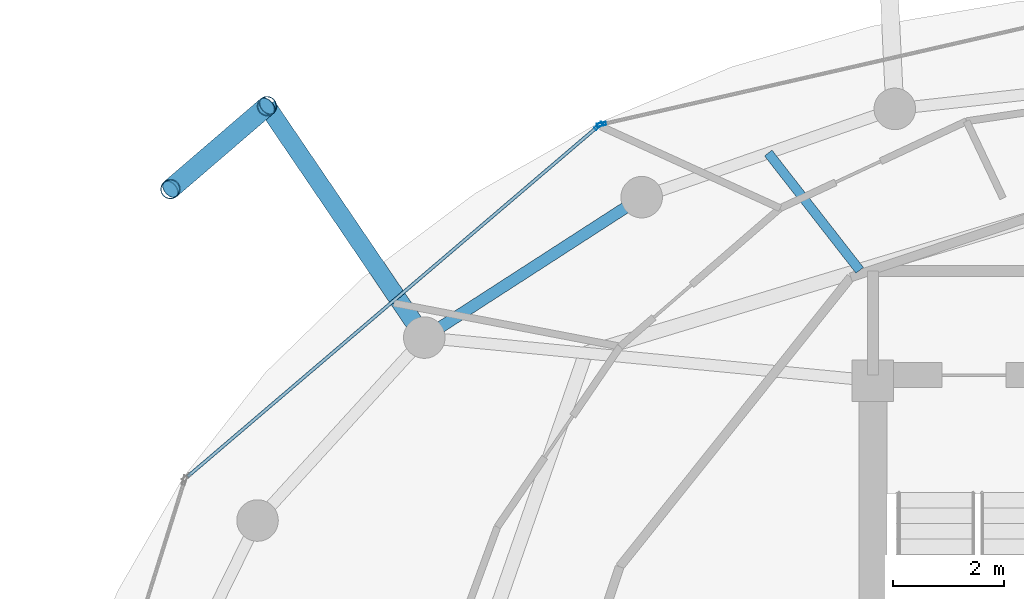
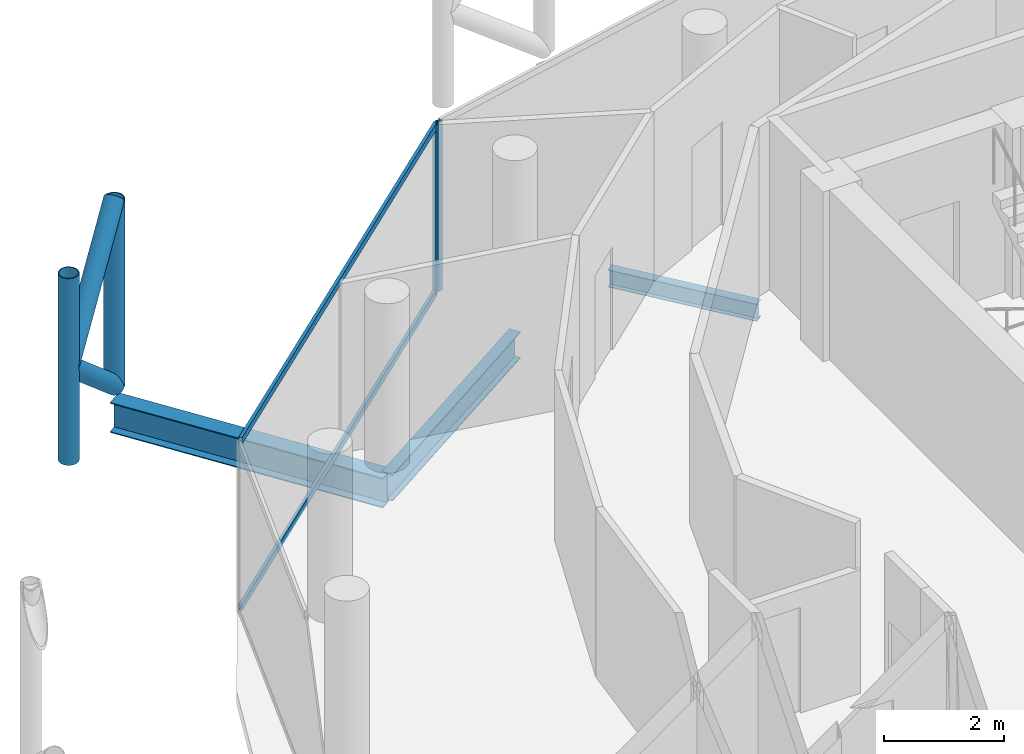
# One storey, part 15 of 24: 8 members, 3 beams, 2 elements without a shape of their own.
"""IFC4 building model written with IfcOpenShell, lengths in metres."""

from ifc_helpers import new_model, si_unit, direction, frame, origin, origin_2d, place, context, subcontext, project, spatial, hollow_rectangle, hollow_circle, i_section, extrude, material, layer, layer_set, material_profile, profile_set, type_object, element, aggregate, save


model = new_model("IFC4")

# Units and contexts
model_context = context("Model", 3, precision=1e-05, world=origin(), true_north=direction((0.0, 1.0)))
body_context = subcontext(model_context, "Body", "Model", "MODEL_VIEW")
ifc_project = project(units=[si_unit("LENGTHUNIT", "METRE"), si_unit("AREAUNIT", "SQUARE_METRE"), si_unit("VOLUMEUNIT", "CUBIC_METRE"), si_unit("PLANEANGLEUNIT", "RADIAN"), si_unit("MASSUNIT", "GRAM", prefix="KILO")], contexts=[model_context])

# Site, building, storey
site_placement = place(None, origin())
site = spatial("IfcSite", under=ifc_project, at=site_placement, CompositionType="ELEMENT")
building_placement = place(site_placement, origin())
building = spatial("IfcBuilding", under=site, at=building_placement, Name="Nuhasar Tower", CompositionType="ELEMENT")
storey_placement = place(building_placement, frame((0.0, 0.0, 297.39990234375)))
storey = spatial("IfcBuildingStorey", under=building, at=storey_placement, Name="L74", CompositionType="ELEMENT", Elevation=297.39990234375)

# Beams
ifc_material_1 = material(Name="Steel S355", Category="steel")
ifc_material_profile_1 = material_profile(ifc_material_1, i_section(OverallWidth=0.1708984375, OverallDepth=0.35205078125, WebThickness=0.0068359375, FlangeThickness=0.009765625, at=origin_2d()), Name="W14X30")
ifc_profile_set_1 = profile_set([ifc_material_profile_1], Name="Steel S355")
beam_type_1 = type_object("IfcBeamType", Name="BM-JST-W14X30", PredefinedType="JOIST", material=ifc_profile_set_1)
beam_1_placement = place(storey_placement, frame((33.4609375, 39.29296875, -0.435791015625), z_axis=(-0.614953767351, 0.788563164256, 0.0), x_axis=(-0.788563164256, -0.614953767351, 0.0)))
element("IfcBeam", 1, at=beam_1_placement, inside=storey, type_object=beam_type_1, Name="L74 Secondary Floor Joist 06", PredefinedType="JOIST", context=body_context, shape_type="SweptSolid", body=[
    extrude(i_section(OverallWidth=0.1708984375, OverallDepth=0.35205078125, WebThickness=0.0068359375, FlangeThickness=0.009765625, at=origin_2d()), origin(), (0.0, 0.0, 1.0), 2.6845703125),
])
ifc_material_profile_2 = material_profile(ifc_material_1, i_section(OverallWidth=0.2099609375, OverallDepth=0.537109375, WebThickness=0.010986328125, FlangeThickness=0.017333984375, at=origin_2d()), Name="W21X68")
ifc_profile_set_2 = profile_set([ifc_material_profile_2], Name="Steel S355")
beam_type_2 = type_object("IfcBeamType", Name="BM-RING-W21X68", PredefinedType="SPANDREL", material=ifc_profile_set_2)
beam_2_placement = place(storey_placement, frame((29.52490234375, 40.613037109375, -0.52880859375), z_axis=(-0.840001671147, -0.54258381147, 0.0), x_axis=(0.54258381147, -0.840001671147, 0.0)))
element("IfcBeam", 2, at=beam_2_placement, inside=storey, type_object=beam_type_2, Name="L74 Perimeter Ring Spandrel 09", PredefinedType="SPANDREL", context=body_context, shape_type="SweptSolid", body=[
    extrude(i_section(OverallWidth=0.2099609375, OverallDepth=0.537109375, WebThickness=0.010986328125, FlangeThickness=0.017333984375, at=origin_2d()), origin(), (0.0, 0.0, 1.0), 4.67236328125),
])
ifc_material_profile_3 = material_profile(ifc_material_1, i_section(OverallWidth=0.323974609375, OverallDepth=0.611083984375, WebThickness=0.0126953125, FlangeThickness=0.01904296875, at=origin_2d()), Name="W24X104")
ifc_profile_set_3 = profile_set([ifc_material_profile_3], Name="Steel S355")
beam_type_3 = type_object("IfcBeamType", Name="BM-TIE-W24X104", PredefinedType="BEAM", material=ifc_profile_set_3)
beam_3_placement = place(storey_placement, frame((25.60009765625, 38.077880859375, -0.56591796875), z_axis=(-0.562070792096, 0.827089127405, 0.0), x_axis=(-0.827089127405, -0.562070792096, 0.0)))
element("IfcBeam", 3, at=beam_3_placement, inside=storey, type_object=beam_type_3, Name="L74 Exoskeleton Node Tie Beam 05", PredefinedType="BEAM", context=body_context, shape_type="SweptSolid", body=[
    extrude(i_section(OverallWidth=0.323974609375, OverallDepth=0.611083984375, WebThickness=0.0126953125, FlangeThickness=0.01904296875, at=origin_2d()), origin(), (0.0, 0.0, 1.0), 5.052978515625),
])

# Curtain wall, member
ifc_material_2 = material(Name="Aluminium 6063-T6", Category="aluminium")
ifc_layer = layer(ifc_material_2, 0.18994140625)
ifc_layer_set = layer_set([ifc_layer], Name="Aluminium 6063-T6")
curtain_wall_type = type_object("IfcCurtainWallType", Name="CW-Z4-PEN", PredefinedType="NOTDEFINED", material=ifc_layer_set)
curtain_wall_1_placement = place(storey_placement, origin())
curtain_wall_1 = element("IfcCurtainWall", 4, at=curtain_wall_1_placement, inside=storey, type_object=curtain_wall_type, Name="L74 Unitised Curtain Wall 04", PredefinedType="NOTDEFINED")
ifc_material_profile_4 = material_profile(ifc_material_2, hollow_rectangle(XDim=0.06005859375, YDim=0.1650390625, WallThickness=0.0048828125, at=origin_2d()), Name="CWM-5")
ifc_profile_set_4 = profile_set([ifc_material_profile_4], Name="Aluminium 6063-T6")
member_type_1 = type_object("IfcMemberType", Name="CW-MUL-S5", PredefinedType="MULLION", material=ifc_profile_set_4)
member_1_placement = place(storey_placement, frame((28.79931640625, 41.927734375, 0.0), z_axis=(0.0, 0.0, 1.0), x_axis=(0.222889487645, -0.97484371891, 0.0)))
member_1 = element("IfcMember", 5, at=member_1_placement, type_object=member_type_1, Name="CW-Z4 mullion 2", PredefinedType="MULLION", context=body_context, shape_type="SweptSolid", body=[
    extrude(hollow_rectangle(XDim=0.06005859375, YDim=0.1650390625, WallThickness=0.0048828125, at=origin_2d()), origin(), (0.0, 0.0, 1.0), 3.4501953125),
])
aggregate(curtain_wall_1, [member_1])

# Curtain wall, members
curtain_wall_2_placement = place(storey_placement, origin())
curtain_wall_2 = element("IfcCurtainWall", 6, at=curtain_wall_2_placement, inside=storey, type_object=curtain_wall_type, Name="L74 Unitised Curtain Wall 05", PredefinedType="NOTDEFINED")
member_2_placement = place(storey_placement, frame((28.7470703125, 41.901611328125, 0.0), z_axis=(0.0, 0.0, 1.0), x_axis=(0.649141996205, -0.760667252327, 0.0)))
member_2 = element("IfcMember", 7, at=member_2_placement, type_object=member_type_1, Name="CW-Z4 mullion 1", PredefinedType="MULLION", context=body_context, shape_type="SweptSolid", body=[
    extrude(hollow_rectangle(XDim=0.06005859375, YDim=0.1650390625, WallThickness=0.0048828125, at=origin_2d()), origin(), (0.0, 0.0, 1.0), 3.4501953125),
])
ifc_material_profile_5 = material_profile(ifc_material_2, hollow_rectangle(XDim=0.06005859375, YDim=0.135009765625, WallThickness=0.00439453125, at=origin_2d()), Name="CWT-5")
ifc_profile_set_5 = profile_set([ifc_material_profile_5], Name="Aluminium 6063-T6")
member_type_2 = type_object("IfcMemberType", Name="CW-TRN-S5", PredefinedType="USERDEFINED", material=ifc_profile_set_5)
member_3_placement = place(storey_placement, frame((28.724365234375, 41.882080078125, 0.030029296875), z_axis=(-0.760660035709, -0.649150452573, 0.0), x_axis=(0.649150452573, -0.760660035709, 0.0)))
member_3 = element("IfcMember", 8, at=member_3_placement, type_object=member_type_2, Name="CW-Z4 transom 1.1", ObjectType="TRANSOM", PredefinedType="USERDEFINED", context=body_context, shape_type="SweptSolid", body=[
    extrude(hollow_rectangle(XDim=0.06005859375, YDim=0.135009765625, WallThickness=0.00439453125, at=origin_2d()), origin(), (0.0, 0.0, 1.0), 9.725341796875),
])
member_4_placement = place(storey_placement, frame((28.724365234375, 41.882080078125, 3.420166015625), z_axis=(-0.760660035709, -0.649150452573, 0.0), x_axis=(0.649150452573, -0.760660035709, 0.0)))
member_4 = element("IfcMember", 9, at=member_4_placement, type_object=member_type_2, Name="CW-Z4 transom 1.2", ObjectType="TRANSOM", PredefinedType="USERDEFINED", context=body_context, shape_type="SweptSolid", body=[
    extrude(hollow_rectangle(XDim=0.06005859375, YDim=0.135009765625, WallThickness=0.00439453125, at=origin_2d()), origin(), (0.0, 0.0, 1.0), 9.725341796875),
])
aggregate(curtain_wall_2, [member_2, member_3, member_4])

# Members
ifc_material_3 = material(Name="Steel S460", Category="steel")
ifc_material_profile_6 = material_profile(ifc_material_3, hollow_circle(Radius=0.177734375, WallThickness=0.015869140625, at=origin_2d()), Name="HSS355.6X15.9")
ifc_profile_set_6 = profile_set([ifc_material_profile_6], Name="Steel S460")
member_type_3 = type_object("IfcMemberType", Name="EXO-BRONZE-356", PredefinedType="BRACE", material=ifc_profile_set_6)
for number, where, z_axis, x_axis, name in (
    (10, (22.760009765625, 42.257080078125, 0.0), (0.0, 0.0, 1.0), (1.0, 0.0, 0.0), "L74 Exoskeleton Chord Column EC-05A"),
    (11, (21.01611328125, 40.758056640625, 0.0), (0.0, 0.0, 1.0), (1.0, 0.0, 0.0), "L74 Exoskeleton Chord Column EC-05B"),
):
    element("IfcMember", number, at=place(storey_placement, frame(where, z_axis=z_axis, x_axis=x_axis)), inside=storey, type_object=member_type_3, Name=name, PredefinedType="BRACE", context=body_context, shape_type="SweptSolid", body=[
        extrude(hollow_circle(Radius=0.177734375, WallThickness=0.015869140625, at=origin_2d()), origin(), (0.0, 0.0, 1.0), 3.800048828125),
    ])
member_5_placement = place(storey_placement, frame((22.760009765625, 42.257080078125, 0.0), z_axis=(-0.584594747408, -0.50250759472, 0.636973389203), x_axis=(0.65185738425, -0.758341579104, 0.0)))
element("IfcMember", 12, at=member_5_placement, inside=storey, type_object=member_type_3, Name="L74 Bronze Diagrid Brace W1-05", PredefinedType="BRACE", context=body_context, shape_type="SweptSolid", body=[
    extrude(hollow_circle(Radius=0.177734375, WallThickness=0.015869140625, at=origin_2d()), origin(), (0.0, 0.0, 1.0), 2.983154296875),
])
member_6_placement = place(storey_placement, frame((21.01611328125, 40.758056640625, 1.900146484375), z_axis=(0.584625223306, 0.502533791278, 0.636924749792), x_axis=(-0.65185738425, 0.758341579104, 0.0)))
element("IfcMember", 13, at=member_6_placement, inside=storey, type_object=member_type_3, Name="L74 Bronze Diagrid Brace W2-05", PredefinedType="BRACE", context=body_context, shape_type="SweptSolid", body=[
    extrude(hollow_circle(Radius=0.177734375, WallThickness=0.015869140625, at=origin_2d()), origin(), (0.0, 0.0, 1.0), 2.98291015625),
])

save(model, "model.ifc")
